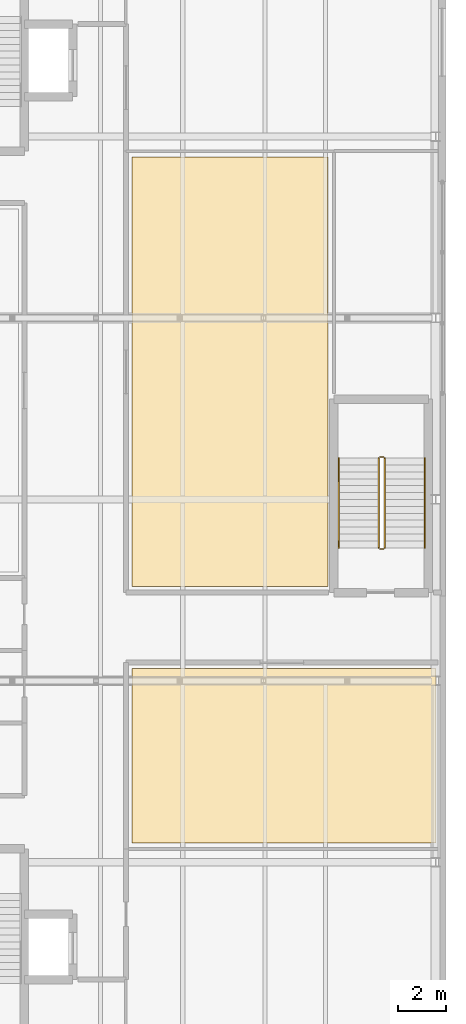
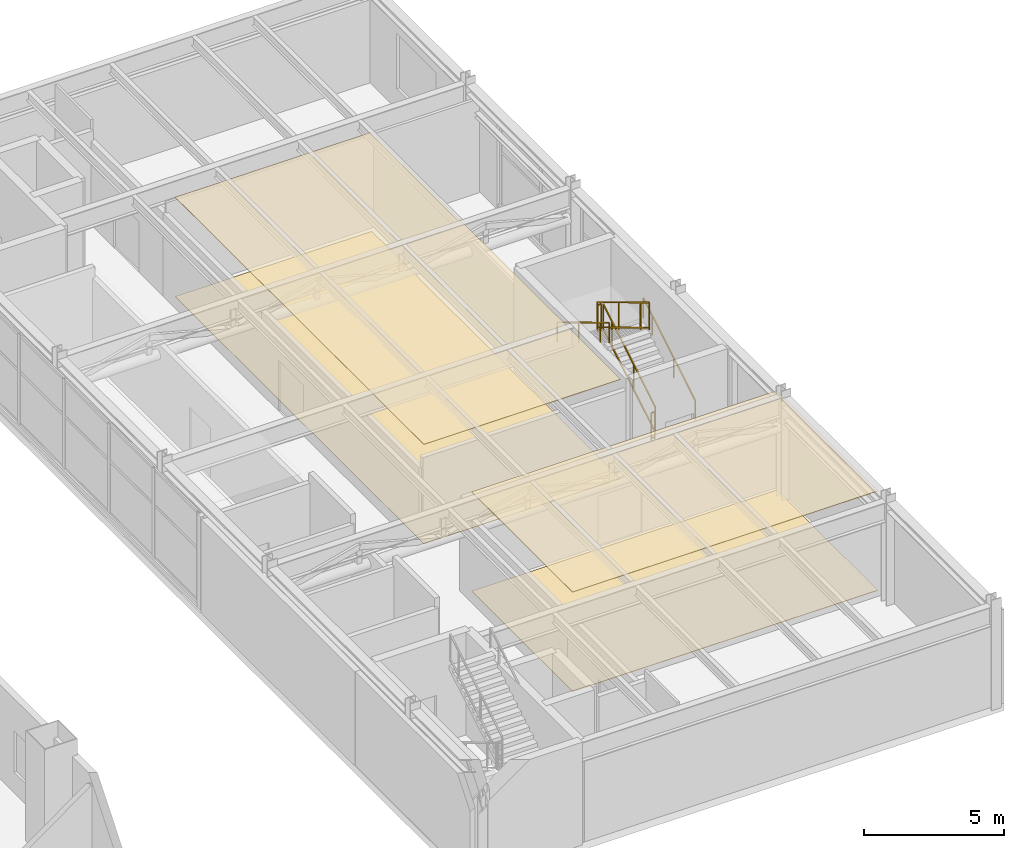
# One storey, part 29 of 29: 6 railings, 4 coverings.
"""IFC4 building model written with IfcOpenShell, lengths in metres."""

import ifcopenshell
import ifcopenshell.guid

model = None  # the IFC model being written
_history = None  # IfcOwnerHistory: only IFC2X3 demands one
_inside = {}  # id of a spatial element -> (the spatial element, [elements in it])
_under = {}  # id of a project, library or spatial element -> (it, [spatial elements below it])
_declared = {}  # id of a project -> (the project, [libraries it declares])
_typed = {}  # id of a type object -> (the type object, [elements of that type])
_made_of = {}  # id of a material, layer set ... -> (it, [elements and type objects made of it])


def new_model(schema):
    """Start an empty IFC model of exactly this schema.

    Asked for "IFC4X3", IfcOpenShell would pick the latest addendum, in which some entities
    have other attributes; the version numbers below select the first issue.
    IFC2X3 requires an IfcOwnerHistory on every rooted entity: one is made here for all.
    """
    global model, _history
    if schema == "IFC4X3":
        model = ifcopenshell.file(schema_version=(4, 3, 0, 0))
    else:
        model = ifcopenshell.file(schema=schema)
    _inside.clear()
    _under.clear()
    _declared.clear()
    _typed.clear()
    _made_of.clear()
    _history = None
    if model.schema == "IFC2X3":
        org = make("IfcOrganization", Name="unknown")
        user = make(
            "IfcPersonAndOrganization",
            ThePerson=make("IfcPerson", FamilyName="unknown"),
            TheOrganization=org,
        )
        app = make(
            "IfcApplication",
            ApplicationDeveloper=org,
            Version="unknown",
            ApplicationFullName="unknown",
            ApplicationIdentifier="unknown",
        )
        _history = make(
            "IfcOwnerHistory",
            OwningUser=user,
            OwningApplication=app,
            ChangeAction="ADDED",
            CreationDate=0,
        )
    return model


def make(cls, **values):
    """One entity of the class cls with the attributes given. An attribute that is None is left unset."""
    return model.create_entity(
        cls, **{name: value for name, value in values.items() if value is not None}
    )


def rooted(cls, **values):
    """An entity with a GlobalId (a new one), such as an element, a storey or a relation."""
    return make(cls, GlobalId=ifcopenshell.guid.new(), OwnerHistory=_history, **values)


def si_unit(unit_type, name, prefix=None):
    """IfcSIUnit, for example si_unit("LENGTHUNIT", "METRE", prefix="MILLI")."""
    return make("IfcSIUnit", UnitType=unit_type, Prefix=prefix, Name=name)


def assignment(units):
    """IfcUnitAssignment: the units of a project."""
    return None if units is None else make("IfcUnitAssignment", Units=units)


def point(xyz):
    """IfcCartesianPoint."""
    return None if xyz is None else make("IfcCartesianPoint", Coordinates=xyz)


def direction(xyz):
    """IfcDirection."""
    return None if xyz is None else make("IfcDirection", DirectionRatios=xyz)


def frame(location, z_axis=None, x_axis=None):
    """IfcAxis2Placement3D, a coordinate frame: its origin and axes. An axis left out is left unset."""
    return make(
        "IfcAxis2Placement3D",
        Location=point(location),
        Axis=direction(z_axis),
        RefDirection=direction(x_axis),
    )


def frame_2d(location, x_axis=None):
    """IfcAxis2Placement2D, a coordinate frame in the plane: its origin and x axis."""
    return make(
        "IfcAxis2Placement2D", Location=point(location), RefDirection=direction(x_axis)
    )


def origin():
    """The frame at (0, 0, 0) with its axes left unset."""
    return frame((0.0, 0.0, 0.0))


def origin_2d():
    """The frame at (0, 0) in the plane with its x axis left unset."""
    return frame_2d((0.0, 0.0))


def place(relative_to, where):
    """IfcLocalPlacement: puts the frame where relative to a parent placement (None: the world)."""
    return make(
        "IfcLocalPlacement", PlacementRelTo=relative_to, RelativePlacement=where
    )


def context(
    kind, dimensions, precision=None, world=None, true_north=None, identifier=None
):
    """IfcGeometricRepresentationContext, for example the 3D "Model" context."""
    return make(
        "IfcGeometricRepresentationContext",
        ContextIdentifier=identifier,
        ContextType=kind,
        CoordinateSpaceDimension=dimensions,
        Precision=precision,
        WorldCoordinateSystem=world,
        TrueNorth=true_north,
    )


def subcontext(parent, identifier, kind, view, scale=None):
    """IfcGeometricRepresentationSubContext, for example "Body" below "Model"."""
    return make(
        "IfcGeometricRepresentationSubContext",
        ContextIdentifier=identifier,
        ContextType=kind,
        ParentContext=parent,
        TargetScale=scale,
        TargetView=view,
    )


def project(units=None, contexts=None):
    """IfcProject with its units and contexts."""
    return rooted(
        "IfcProject",
        Name="project",
        RepresentationContexts=contexts,
        UnitsInContext=assignment(units),
    )


def spatial(cls, under=None, at=None, **own):
    """A site, building, storey or space (cls), placed at a placement, below another one or the project."""
    s = rooted(cls, ObjectPlacement=at, **own)
    if under is not None:
        _under.setdefault(under.id(), (under, []))[1].append(s)
    return s


def polyline(points):
    """IfcPolyline through the points."""
    return make("IfcPolyline", Points=[point(p) for p in points])


def profile(cls, at=None, kind="AREA", **sizes):
    """A parametric profile (cls). Its sizes go by their IFC names, for example OverallWidth=200.0."""
    return make(cls, ProfileType=kind, Position=at, **sizes)


def rectangle(**sizes):
    """IfcRectangleProfileDef."""
    return profile("IfcRectangleProfileDef", **sizes)


def outline(outer, holes=None, kind="AREA"):
    """IfcArbitraryClosedProfileDef: a profile drawn as a closed curve; with holes, ...WithVoids."""
    if holes is None:
        return make("IfcArbitraryClosedProfileDef", ProfileType=kind, OuterCurve=outer)
    return make(
        "IfcArbitraryProfileDefWithVoids",
        ProfileType=kind,
        OuterCurve=outer,
        InnerCurves=holes,
    )


def extrude(swept, where, along, depth):
    """IfcExtrudedAreaSolid: the profile swept, set in the frame where, extruded along a direction by depth."""
    return make(
        "IfcExtrudedAreaSolid",
        SweptArea=swept,
        Position=where,
        ExtrudedDirection=direction(along),
        Depth=depth,
    )


def shape(context_of_items, identifier, shape_type, items):
    """IfcShapeRepresentation: the items that make up one representation, for example the "Body"."""
    return make(
        "IfcShapeRepresentation",
        ContextOfItems=context_of_items,
        RepresentationIdentifier=identifier,
        RepresentationType=shape_type,
        Items=items,
    )


def material(Name=None, Category=None):
    """IfcMaterial."""
    return make("IfcMaterial", Name=Name, Category=Category)


def layer(
    of_material, thickness, ventilated=None, Name=None, Category=None, Priority=None
):
    """IfcMaterialLayer: one layer of a wall or slab, of a material (None: an air gap)."""
    return make(
        "IfcMaterialLayer",
        Material=of_material,
        LayerThickness=thickness,
        IsVentilated=ventilated,
        Name=Name,
        Category=Category,
        Priority=Priority,
    )


def layer_set(layers, Name=None):
    """IfcMaterialLayerSet."""
    return make("IfcMaterialLayerSet", MaterialLayers=layers, LayerSetName=Name)


def made_of(thing, what):
    """Note that an element or type object is made of a material, layer set ...; save() writes the relation."""
    if what is not None:
        _made_of.setdefault(what.id(), (what, []))[1].append(thing)
    return thing


def type_object(cls, material=None, **own):
    """A type object (cls), such as IfcWallType, which elements share."""
    return made_of(rooted(cls, **own), material)


def element(
    cls,
    number,
    at=None,
    inside=None,
    cuts=None,
    type_object=None,
    material=None,
    context=None,
    identifier="Body",
    shape_type=None,
    held_by="IfcProductDefinitionShape",
    body=None,
    shapes=None,
    **own,
):
    """One element of the class cls, such as IfcWall. Its Tag is "e" and its number.

    at: its placement. inside: the storey or other place that contains it. cuts: it is an
    opening in that element (IfcRelVoidsElement). A single representation is given by context,
    identifier, shape_type and body (its items); several are given by shapes. held_by: the class
    of the entity that holds the representations. save() writes the other relations.
    """
    e = rooted(cls, Tag="e%d" % number, ObjectPlacement=at, **own)
    if body is not None:
        shapes = [shape(context, identifier, shape_type, body)]
    if shapes is not None:
        e.Representation = make(held_by, Representations=shapes)
    if inside is not None:
        _inside.setdefault(inside.id(), (inside, []))[1].append(e)
    if cuts is not None:
        rooted(
            "IfcRelVoidsElement", RelatingBuildingElement=cuts, RelatedOpeningElement=e
        )
    if type_object is not None:
        _typed.setdefault(type_object.id(), (type_object, []))[1].append(e)
    return made_of(e, material)


def aggregate(whole, parts):
    """IfcRelAggregates: a whole, such as a stair, and the parts it consists of."""
    return rooted("IfcRelAggregates", RelatingObject=whole, RelatedObjects=parts)


def save(model, path):
    """Write the relations noted so far, then the file.

    IfcRelAggregates (storeys below a building ...), IfcRelContainedInSpatialStructure (elements
    in a storey), IfcRelDefinesByType, IfcRelAssociatesMaterial and IfcRelDeclares: one each for
    every whole, place, type object, material and project.
    """
    for whole, parts in _under.values():
        aggregate(whole, parts)
    for where, things in _inside.values():
        rooted(
            "IfcRelContainedInSpatialStructure",
            RelatedElements=things,
            RelatingStructure=where,
        )
    for kind, things in _typed.values():
        rooted("IfcRelDefinesByType", RelatedObjects=things, RelatingType=kind)
    for what, things in _made_of.values():
        rooted("IfcRelAssociatesMaterial", RelatedObjects=things, RelatingMaterial=what)
    for by, libraries in _declared.values():
        rooted("IfcRelDeclares", RelatingContext=by, RelatedDefinitions=libraries)
    model.write(path)


model = new_model("IFC4")

# Units and contexts
model_context = context("Model", 3, precision=1e-05, world=origin(), true_north=direction((0.0, 1.0)))
body_context = subcontext(model_context, "Body", "Model", "MODEL_VIEW")
ifc_project = project(units=[si_unit("LENGTHUNIT", "METRE"), si_unit("AREAUNIT", "SQUARE_METRE"), si_unit("VOLUMEUNIT", "CUBIC_METRE"), si_unit("PLANEANGLEUNIT", "RADIAN"), si_unit("MASSUNIT", "GRAM", prefix="KILO")], contexts=[model_context])

# Site, building, storey
site_placement = place(None, origin())
site = spatial("IfcSite", under=ifc_project, at=site_placement, CompositionType="ELEMENT")
building_placement = place(site_placement, origin())
building = spatial("IfcBuilding", under=site, at=building_placement, Name="Mersakhor Tower and Convention Hall", CompositionType="ELEMENT")
storey_placement = place(building_placement, frame((0.0, 0.0, 9.60009765625)))
storey = spatial("IfcBuildingStorey", under=building, at=storey_placement, Name="L02", CompositionType="ELEMENT", Elevation=9.60009765625)

# Coverings
ifc_material_1 = material(Name="Acoustic mineral-fibre suspended ceiling", Category="other")
ifc_layer_1 = layer(ifc_material_1, 0.02490234375)
ifc_layer_set_1 = layer_set([ifc_layer_1], Name="Acoustic mineral-fibre suspended ceiling")
covering_type_1 = type_object("IfcCoveringType", Name="COV-CLG-25", PredefinedType="CEILING", material=ifc_layer_set_1)
covering_1_placement = place(storey_placement, frame((0.0, 0.0, 4.31982421875)))
element("IfcCovering", 1, at=covering_1_placement, inside=storey, type_object=covering_type_1, Name="L02 Main Plenary Auditorium Hall Acoustic Suspended Ceiling", PredefinedType="CEILING", context=body_context, shape_type="SweptSolid", body=[
    extrude(outline(polyline([(64.10009765625, 39.89990234375), (72.199951171875, 39.89990234375), (72.199951171875, 22.14990234375), (64.10009765625, 22.14990234375), (64.10009765625, 39.89990234375)])), origin(), (0.0, 0.0, 1.0), 0.025146484375),
])
covering_2_placement = place(storey_placement, frame((0.0, 0.0, 4.31982421875)))
element("IfcCovering", 2, at=covering_2_placement, inside=storey, type_object=covering_type_1, Name="L02 South Conference Lecture Hall Acoustic Suspended Ceiling", PredefinedType="CEILING", context=body_context, shape_type="SweptSolid", body=[
    extrude(outline(polyline([(64.10009765625, 18.75), (76.675048828125, 18.75), (76.675048828125, 11.550048828125), (64.10009765625, 11.550048828125), (64.10009765625, 18.75)])), origin(), (0.0, 0.0, 1.0), 0.025146484375),
])
ifc_material_2 = material(Name="Polished porcelain tile flooring", Category="other")
ifc_layer_2 = layer(ifc_material_2, 0.02001953125)
ifc_layer_set_2 = layer_set([ifc_layer_2], Name="Polished porcelain tile flooring")
covering_type_2 = type_object("IfcCoveringType", Name="COV-FLR-20", PredefinedType="FLOORING", material=ifc_layer_set_2)
covering_3_placement = place(storey_placement, origin())
element("IfcCovering", 3, at=covering_3_placement, inside=storey, type_object=covering_type_2, Name="L02 Main Plenary Auditorium Hall Porcelain Floor Finish", PredefinedType="FLOORING", context=body_context, shape_type="SweptSolid", body=[
    extrude(outline(polyline([(64.10009765625, 39.89990234375), (72.199951171875, 39.89990234375), (72.199951171875, 22.14990234375), (64.10009765625, 22.14990234375), (64.10009765625, 39.89990234375)])), origin(), (0.0, 0.0, 1.0), 0.02001953125),
])
covering_4_placement = place(storey_placement, origin())
element("IfcCovering", 4, at=covering_4_placement, inside=storey, type_object=covering_type_2, Name="L02 South Conference Lecture Hall Porcelain Floor Finish", PredefinedType="FLOORING", context=body_context, shape_type="SweptSolid", body=[
    extrude(outline(polyline([(64.10009765625, 18.75), (76.675048828125, 18.75), (76.675048828125, 11.550048828125), (64.10009765625, 11.550048828125), (64.10009765625, 18.75)])), origin(), (0.0, 0.0, 1.0), 0.02001953125),
])

# Railings
ifc_material_3 = material(Name="Brushed stainless steel handrail", Category="steel")
railing_type_1 = type_object("IfcRailingType", Name="RL-HR-900", PredefinedType="HANDRAIL", material=ifc_material_3)
railing_1_placement = place(storey_placement, frame((76.199951171875, 23.75, 0.17138671875)))
element("IfcRailing", 5, at=railing_1_placement, inside=storey, type_object=railing_type_1, Name="L02 CH-ST3 stair handrail 1", PredefinedType="HANDRAIL", context=body_context, shape_type="SweptSolid", body=[
    extrude(rectangle(XDim=0.048095703125, YDim=0.048095703125, at=origin_2d()), frame((0.0, 0.0, 0.8759765625), z_axis=(0.0, 0.856934400257, 0.515425487977), x_axis=(-1.0, 0.0, 0.0)), (0.0, 0.0, 1.0), 4.32373046875),
    extrude(rectangle(XDim=0.0419921875, YDim=0.0419921875, at=origin_2d()), origin(), (0.0, 0.0, 1.0), 0.851806640625),
    extrude(rectangle(XDim=0.0419921875, YDim=0.0419921875, at=origin_2d()), frame((0.0, 1.54248046875, 0.927734375)), (0.0, 0.0, 1.0), 0.851806640625),
    extrude(rectangle(XDim=0.0419921875, YDim=0.0419921875, at=origin_2d()), frame((0.0, 3.0849609375, 1.85546875)), (0.0, 0.0, 1.0), 0.851806640625),
    extrude(rectangle(XDim=0.0419921875, YDim=0.0419921875, at=origin_2d()), frame((0.0, 3.705078125, 2.228515625)), (0.0, 0.0, 1.0), 0.851806640625),
])
railing_2_placement = place(storey_placement, frame((72.64990234375, 27.455078125, 2.5712890625)))
element("IfcRailing", 6, at=railing_2_placement, inside=storey, type_object=railing_type_1, Name="L02 CH-ST3 stair handrail 2", PredefinedType="HANDRAIL", context=body_context, shape_type="SweptSolid", body=[
    extrude(rectangle(XDim=0.048095703125, YDim=0.048095703125, at=origin_2d()), frame((0.0, 0.0, 0.8759765625), z_axis=(0.0, -0.856934400257, 0.515425487977), x_axis=(1.0, 0.0, 0.0)), (0.0, 0.0, 1.0), 4.32373046875),
    extrude(rectangle(XDim=0.0419921875, YDim=0.0419921875, at=origin_2d()), origin(), (0.0, 0.0, 1.0), 0.851806640625),
    extrude(rectangle(XDim=0.0419921875, YDim=0.0419921875, at=origin_2d()), frame((0.0, -1.54248046875, 0.927734375)), (0.0, 0.0, 1.0), 0.851806640625),
    extrude(rectangle(XDim=0.0419921875, YDim=0.0419921875, at=origin_2d()), frame((0.0, -3.0849609375, 1.85546875)), (0.0, 0.0, 1.0), 0.851806640625),
    extrude(rectangle(XDim=0.0419921875, YDim=0.0419921875, at=origin_2d()), frame((0.0, -3.705078125, 2.228515625)), (0.0, 0.0, 1.0), 0.851806640625),
])
ifc_material_4 = material(Name="Painted steel stair balustrade S355", Category="steel")
railing_type_2 = type_object("IfcRailingType", Name="RL-STG-1200", PredefinedType="BALUSTRADE", material=ifc_material_4)
railing_3_placement = place(storey_placement, frame((74.550048828125, 23.75, 0.17138671875)))
element("IfcRailing", 7, at=railing_3_placement, inside=storey, type_object=railing_type_2, Name="L02 CH-ST3 stair guard 1", PredefinedType="BALUSTRADE", context=body_context, shape_type="SweptSolid", body=[
    extrude(rectangle(XDim=0.048095703125, YDim=0.048095703125, at=origin_2d()), frame((0.0, 0.0, 1.17578125), z_axis=(0.0, 0.856934400257, 0.515425487977), x_axis=(-1.0, 0.0, 0.0)), (0.0, 0.0, 1.0), 4.32373046875),
    extrude(rectangle(XDim=0.048095703125, YDim=0.048095703125, at=origin_2d()), frame((0.0, 0.0, 0.080078125), z_axis=(0.0, 0.856934400257, 0.515425487977), x_axis=(-1.0, 0.0, 0.0)), (0.0, 0.0, 1.0), 4.32373046875),
    extrude(rectangle(XDim=0.0419921875, YDim=0.0419921875, at=origin_2d()), origin(), (0.0, 0.0, 1.0), 1.15185546875),
    extrude(rectangle(XDim=0.0419921875, YDim=0.0419921875, at=origin_2d()), frame((0.0, 1.54248046875, 0.927734375)), (0.0, 0.0, 1.0), 1.15185546875),
    extrude(rectangle(XDim=0.0419921875, YDim=0.0419921875, at=origin_2d()), frame((0.0, 3.0849609375, 1.85546875)), (0.0, 0.0, 1.0), 1.15185546875),
    extrude(rectangle(XDim=0.0419921875, YDim=0.0419921875, at=origin_2d()), frame((0.0, 3.705078125, 2.228515625)), (0.0, 0.0, 1.0), 1.15185546875),
])
railing_4_placement = place(storey_placement, frame((74.5, 27.5048828125, 2.39990234375)))
element("IfcRailing", 8, at=railing_4_placement, inside=storey, type_object=railing_type_2, Name="L02 CH-ST3 stair guard 2", PredefinedType="BALUSTRADE", context=body_context, shape_type="SweptSolid", body=[
    extrude(rectangle(XDim=0.048095703125, YDim=0.048095703125, at=origin_2d()), frame((0.0, 0.0, 1.17578125), z_axis=(-1.0, 0.0, 0.0), x_axis=(0.0, -1.0, 0.0)), (0.0, 0.0, 1.0), 0.14990234375),
    extrude(rectangle(XDim=0.048095703125, YDim=0.048095703125, at=origin_2d()), frame((0.0, 0.0, 0.080078125), z_axis=(-1.0, 0.0, 0.0), x_axis=(0.0, -1.0, 0.0)), (0.0, 0.0, 1.0), 0.14990234375),
    extrude(rectangle(XDim=0.0419921875, YDim=0.0419921875, at=origin_2d()), origin(), (0.0, 0.0, 1.0), 1.15185546875),
    extrude(rectangle(XDim=0.0419921875, YDim=0.0419921875, at=origin_2d()), frame((-0.14990234375, 0.0, 0.0)), (0.0, 0.0, 1.0), 1.15185546875),
])
railing_5_placement = place(storey_placement, frame((74.300048828125, 27.455078125, 2.5712890625)))
element("IfcRailing", 9, at=railing_5_placement, inside=storey, type_object=railing_type_2, Name="L02 CH-ST3 stair guard 3", PredefinedType="BALUSTRADE", context=body_context, shape_type="SweptSolid", body=[
    extrude(rectangle(XDim=0.048095703125, YDim=0.048095703125, at=origin_2d()), frame((0.0, 0.0, 1.17578125), z_axis=(0.0, -0.856934400257, 0.515425487977), x_axis=(1.0, 0.0, 0.0)), (0.0, 0.0, 1.0), 4.32373046875),
    extrude(rectangle(XDim=0.048095703125, YDim=0.048095703125, at=origin_2d()), frame((0.0, 0.0, 0.080078125), z_axis=(0.0, -0.856934400257, 0.515425487977), x_axis=(1.0, 0.0, 0.0)), (0.0, 0.0, 1.0), 4.32373046875),
    extrude(rectangle(XDim=0.0419921875, YDim=0.0419921875, at=origin_2d()), origin(), (0.0, 0.0, 1.0), 1.15185546875),
    extrude(rectangle(XDim=0.0419921875, YDim=0.0419921875, at=origin_2d()), frame((0.0, -1.54248046875, 0.927734375)), (0.0, 0.0, 1.0), 1.15185546875),
    extrude(rectangle(XDim=0.0419921875, YDim=0.0419921875, at=origin_2d()), frame((0.0, -3.0849609375, 1.85546875)), (0.0, 0.0, 1.0), 1.15185546875),
    extrude(rectangle(XDim=0.0419921875, YDim=0.0419921875, at=origin_2d()), frame((0.0, -3.705078125, 2.228515625)), (0.0, 0.0, 1.0), 1.15185546875),
])
railing_6_placement = place(storey_placement, frame((74.5, 23.699951171875, 0.0)))
element("IfcRailing", 10, at=railing_6_placement, inside=storey, type_object=railing_type_2, Name="L02 CH-ST3 stair guard 4", PredefinedType="BALUSTRADE", context=body_context, shape_type="SweptSolid", body=[
    extrude(rectangle(XDim=0.048095703125, YDim=0.048095703125, at=origin_2d()), frame((0.0, 0.0, 1.17578125), z_axis=(-1.0, 0.0, 0.0), x_axis=(0.0, -1.0, 0.0)), (0.0, 0.0, 1.0), 0.14990234375),
    extrude(rectangle(XDim=0.048095703125, YDim=0.048095703125, at=origin_2d()), frame((0.0, 0.0, 0.080078125), z_axis=(-1.0, 0.0, 0.0), x_axis=(0.0, -1.0, 0.0)), (0.0, 0.0, 1.0), 0.14990234375),
    extrude(rectangle(XDim=0.0419921875, YDim=0.0419921875, at=origin_2d()), origin(), (0.0, 0.0, 1.0), 1.15185546875),
    extrude(rectangle(XDim=0.0419921875, YDim=0.0419921875, at=origin_2d()), frame((-0.14990234375, 0.0, 0.0)), (0.0, 0.0, 1.0), 1.15185546875),
])

save(model, "model.ifc")
